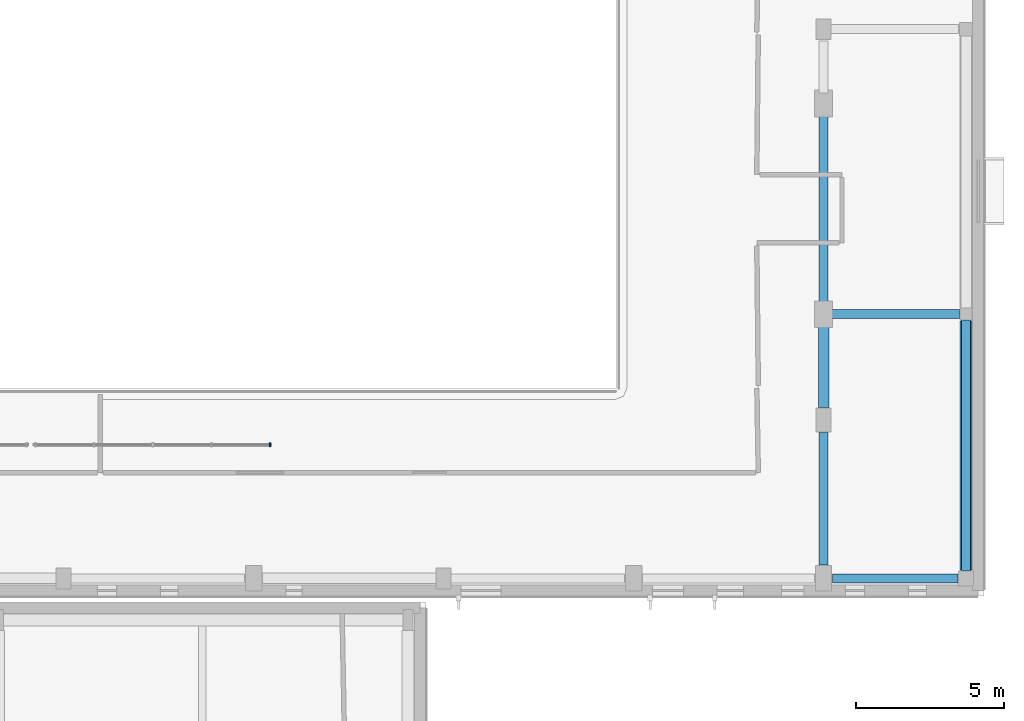
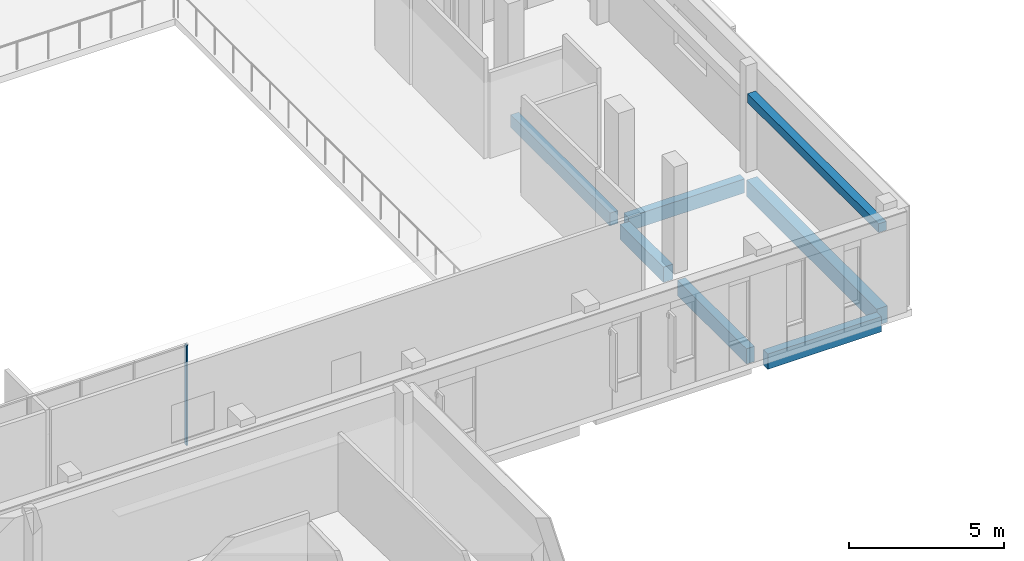
# One storey, part 29 of 84: 7 beams, 1 member, 1 element without a shape of its own.
"""IFC4 building model written with IfcOpenShell, lengths in metres."""

from ifc_helpers import new_model, si_unit, direction, frame, origin, origin_2d, place, context, subcontext, project, spatial, rectangle, extrude, material, material_profile, profile_set, type_object, element, aggregate, save


model = new_model("IFC4")

# Units and contexts
model_context = context("Model", 3, precision=1e-05, world=origin(), true_north=direction((0.0, 1.0)))
body_context = subcontext(model_context, "Body", "Model", "MODEL_VIEW")
ifc_project = project(units=[si_unit("LENGTHUNIT", "METRE"), si_unit("AREAUNIT", "SQUARE_METRE"), si_unit("VOLUMEUNIT", "CUBIC_METRE"), si_unit("PLANEANGLEUNIT", "RADIAN"), si_unit("MASSUNIT", "GRAM", prefix="KILO")], contexts=[model_context])

# Site, building, storey
site_placement = place(None, origin())
site = spatial("IfcSite", under=ifc_project, at=site_placement, CompositionType="ELEMENT")
building_placement = place(site_placement, origin())
building = spatial("IfcBuilding", under=site, at=building_placement, Name="Mzevani Central Library", CompositionType="ELEMENT")
storey_placement = place(building_placement, frame((0.0, 0.0, 5.39990234375)))
storey = spatial("IfcBuildingStorey", under=building, at=storey_placement, Name="L01", CompositionType="ELEMENT", Elevation=5.39990234375)

# Beams
ifc_material_1 = material(Name="Concrete C35/45", Category="concrete")
ifc_material_profile_1 = material_profile(ifc_material_1, rectangle(XDim=0.300048828125, YDim=0.5, at=origin_2d()), Name="RC B300x500")
ifc_profile_set_1 = profile_set([ifc_material_profile_1], Name="Concrete C35/45")
beam_type_1 = type_object("IfcBeamType", Name="Beam RC 300x500", PredefinedType="BEAM", material=ifc_profile_set_1)
beam_1_placement = place(storey_placement, frame((159.0, 52.35009765625, -0.510009765625), z_axis=(0.0, 1.0, 0.0), x_axis=(-1.0, 0.0, 0.0)))
element("IfcBeam", 1, at=beam_1_placement, inside=storey, type_object=beam_type_1, Name="L01 V1 Frame Beam B-01 (68)", PredefinedType="BEAM", context=body_context, shape_type="SweptSolid", body=[
    extrude(rectangle(XDim=0.300048828125, YDim=0.5, at=origin_2d()), origin(), (0.0, 0.0, 1.0), 6.39990234375),
])
ifc_material_profile_2 = material_profile(ifc_material_1, rectangle(XDim=0.300048828125, YDim=0.550048828125, at=origin_2d()), Name="RC B300x550")
ifc_profile_set_2 = profile_set([ifc_material_profile_2], Name="Concrete C35/45")
beam_type_2 = type_object("IfcBeamType", Name="Beam RC 300x550", PredefinedType="BEAM", material=ifc_profile_set_2)
beam_2_placement = place(storey_placement, frame((159.25, 52.0, -0.534912109375), z_axis=(1.0, 0.0, 0.0), x_axis=(0.0, 1.0, 0.0)))
element("IfcBeam", 2, at=beam_2_placement, inside=storey, type_object=beam_type_2, Name="L01 V1 Girder B-02 (21)", PredefinedType="BEAM", context=body_context, shape_type="SweptSolid", body=[
    extrude(rectangle(XDim=0.300048828125, YDim=0.550048828125, at=origin_2d()), origin(), (0.0, 0.0, 1.0), 4.324951171875),
])
ifc_material_profile_3 = material_profile(ifc_material_1, rectangle(XDim=0.300048828125, YDim=0.60009765625, at=origin_2d()), Name="RC B300x600")
ifc_profile_set_3 = profile_set([ifc_material_profile_3], Name="Concrete C35/45")
beam_type_3 = type_object("IfcBeamType", Name="Beam RC 300x600", PredefinedType="BEAM", material=ifc_profile_set_3)
beam_3_placement = place(storey_placement, frame((159.300048828125, 43.10009765625, -0.559814453125), z_axis=(1.0, 0.0, 0.0), x_axis=(0.0, 1.0, 0.0)))
element("IfcBeam", 3, at=beam_3_placement, inside=storey, type_object=beam_type_3, Name="L01 V1 Girder B-03 (14)", PredefinedType="BEAM", context=body_context, shape_type="SweptSolid", body=[
    extrude(rectangle(XDim=0.300048828125, YDim=0.60009765625, at=origin_2d()), origin(), (0.0, 0.0, 1.0), 4.224853515625),
])
beam_4_placement = place(storey_placement, frame((159.0, 43.550048828125, -0.559814453125), z_axis=(0.0, 1.0, 0.0), x_axis=(-1.0, 0.0, 0.0)))
element("IfcBeam", 4, at=beam_4_placement, inside=storey, type_object=beam_type_3, Name="L01 V1 Frame Beam B-03 (66)", PredefinedType="BEAM", context=body_context, shape_type="SweptSolid", body=[
    extrude(rectangle(XDim=0.300048828125, YDim=0.60009765625, at=origin_2d()), origin(), (0.0, 0.0, 1.0), 4.4580078125),
])
ifc_material_profile_4 = material_profile(ifc_material_1, rectangle(XDim=0.35009765625, YDim=0.60009765625, at=origin_2d()), Name="RC B350x600")
ifc_profile_set_4 = profile_set([ifc_material_profile_4], Name="Concrete C35/45")
beam_type_4 = type_object("IfcBeamType", Name="Beam RC 350x600", PredefinedType="BEAM", material=ifc_profile_set_4)
beam_5_placement = place(storey_placement, frame((159.0, 48.85791015625, -0.559814453125), z_axis=(0.0, 1.0, 0.0), x_axis=(-1.0, 0.0, 0.0)))
element("IfcBeam", 5, at=beam_5_placement, inside=storey, type_object=beam_type_4, Name="L01 V1 Frame Beam B-04 (67)", PredefinedType="BEAM", context=body_context, shape_type="SweptSolid", body=[
    extrude(rectangle(XDim=0.35009765625, YDim=0.60009765625, at=origin_2d()), origin(), (0.0, 0.0, 1.0), 2.7919921875),
])
ifc_material_profile_5 = material_profile(ifc_material_1, rectangle(XDim=0.39990234375, YDim=0.64990234375, at=origin_2d()), Name="RC B400x650")
ifc_profile_set_5 = profile_set([ifc_material_profile_5], Name="Concrete C35/45")
beam_type_5 = type_object("IfcBeamType", Name="Beam RC 400x650", PredefinedType="BEAM", material=ifc_profile_set_5)
beam_6_placement = place(storey_placement, frame((163.800048828125, 43.375, -0.5849609375), z_axis=(0.0, 1.0, 0.0), x_axis=(-1.0, 0.0, 0.0)))
element("IfcBeam", 6, at=beam_6_placement, inside=storey, type_object=beam_type_5, Name="L01 V1 Frame Beam B-07 (70)", PredefinedType="BEAM", context=body_context, shape_type="SweptSolid", body=[
    extrude(rectangle(XDim=0.39990234375, YDim=0.64990234375, at=origin_2d()), origin(), (0.0, 0.0, 1.0), 8.39990234375),
])

# Curtain wall, member
ifc_material_2 = material(Name="Thermally broken aluminium and Low-E triple glazing", Category="aluminium")
curtain_wall_type = type_object("IfcCurtainWallType", Name="Interior Atrium Acoustic Glazed Screen", PredefinedType="NOTDEFINED", material=ifc_material_2)
curtain_wall_placement = place(storey_placement, origin())
curtain_wall = element("IfcCurtainWall", 7, at=curtain_wall_placement, inside=storey, type_object=curtain_wall_type, Name="L01 Atrium Acoustic Overlook Screen 2", PredefinedType="NOTDEFINED")
ifc_material_3 = material(Name="Thermally broken aluminium AW-6060", Category="aluminium")
ifc_material_profile_6 = material_profile(ifc_material_3, rectangle(XDim=0.054931640625, YDim=0.1298828125, at=origin_2d()), Name="ALU M55x130")
ifc_profile_set_6 = profile_set([ifc_material_profile_6], Name="Thermally broken aluminium AW-6060")
member_type = type_object("IfcMemberType", Name="CW Interior Mullion 55x130", PredefinedType="MULLION", material=ifc_profile_set_6)
member_placement = place(storey_placement, frame((140.35009765625, 47.60009765625, 0.0), z_axis=(0.0, 0.0, 1.0), x_axis=(1.0, 0.0, 0.0)))
member = element("IfcMember", 8, at=member_placement, type_object=member_type, Name="L01 Atrium Acoustic Overlook Screen 2 Mullion 5", PredefinedType="MULLION", context=body_context, shape_type="SweptSolid", body=[
    extrude(rectangle(XDim=0.054931640625, YDim=0.1298828125, at=origin_2d()), origin(), (0.0, 0.0, 1.0), 3.940185546875),
])
aggregate(curtain_wall, [member])

# Beam
ifc_material_4 = material(Name="Precast concrete C40/50", Category="concrete")
ifc_material_profile_7 = material_profile(ifc_material_4, rectangle(XDim=0.300048828125, YDim=0.35009765625, at=origin_2d()), Name="PC LN300x350")
ifc_profile_set_7 = profile_set([ifc_material_profile_7], Name="Precast concrete C40/50")
beam_type_6 = type_object("IfcBeamType", Name="Precast Window Lintel 300x350", PredefinedType="LINTEL", material=ifc_profile_set_7)
beam_7_placement = place(storey_placement, frame((163.800048828125, 43.35009765625, 2.925048828125), z_axis=(0.0, 1.0, 0.0), x_axis=(-1.0, 0.0, 0.0)))
element("IfcBeam", 9, at=beam_7_placement, inside=storey, type_object=beam_type_6, Name="L01 V1 Precast Portal Lintel (16)", PredefinedType="LINTEL", context=body_context, shape_type="SweptSolid", body=[
    extrude(rectangle(XDim=0.300048828125, YDim=0.35009765625, at=origin_2d()), origin(), (0.0, 0.0, 1.0), 8.449951171875),
])

save(model, "model.ifc")
